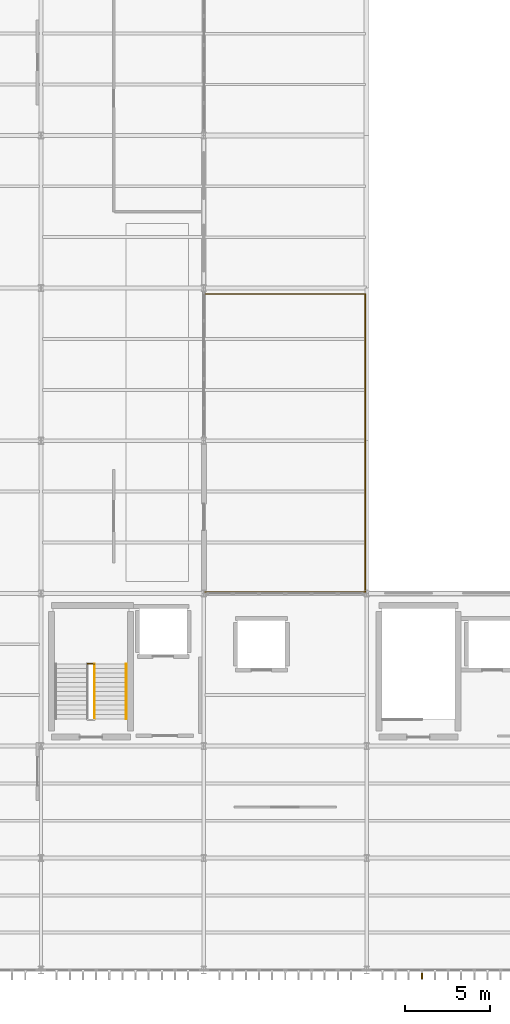
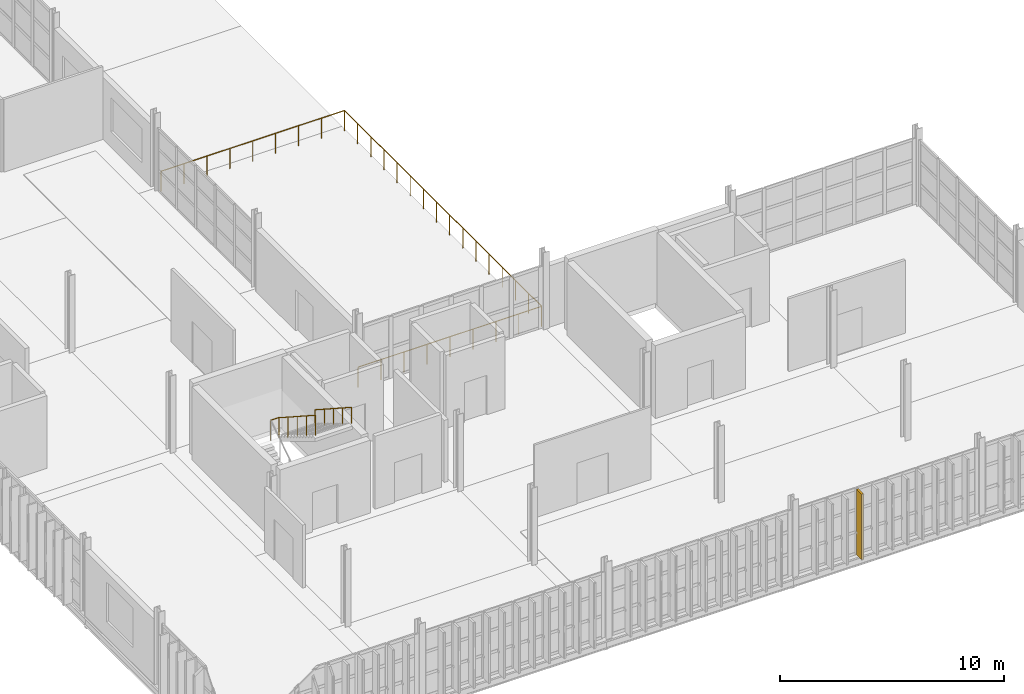
# One storey, part 32 of 38: 4 railings, 1 shading device.
"""IFC4 building model written with IfcOpenShell, lengths in metres."""

from ifc_helpers import new_model, si_unit, direction, frame, origin, origin_2d, place, context, subcontext, project, spatial, rectangle, circle, extrude, material, type_object, element, save


model = new_model("IFC4")

# Units and contexts
model_context = context("Model", 3, precision=1e-05, world=origin(), true_north=direction((0.0, 1.0)))
body_context = subcontext(model_context, "Body", "Model", "MODEL_VIEW")
ifc_project = project(units=[si_unit("LENGTHUNIT", "METRE"), si_unit("AREAUNIT", "SQUARE_METRE"), si_unit("VOLUMEUNIT", "CUBIC_METRE"), si_unit("PLANEANGLEUNIT", "RADIAN"), si_unit("MASSUNIT", "GRAM", prefix="KILO")], contexts=[model_context])

# Site, building, storey
site_placement = place(None, origin())
site = spatial("IfcSite", under=ifc_project, at=site_placement, CompositionType="ELEMENT")
building_placement = place(site_placement, origin())
building = spatial("IfcBuilding", under=site, at=building_placement, Name="Zarnetskaya Central Station", CompositionType="ELEMENT")
storey_placement = place(building_placement, frame((0.0, 0.0, 18.60009765625)))
storey = spatial("IfcBuildingStorey", under=building, at=storey_placement, Name="L04", CompositionType="ELEMENT", Elevation=18.60009765625)

# Railings
ifc_material_1 = material(Name="Steel S355", Category="steel")
railing_type_1 = type_object("IfcRailingType", Name="RAIL-BAL-1100", PredefinedType="BALUSTRADE", material=ifc_material_1)
railing_1_placement = place(storey_placement, frame((19.280029296875, 22.280029296875, 0.0)))
element("IfcRailing", 1, at=railing_1_placement, inside=storey, type_object=railing_type_1, Name="Protective deck balustrade GRD-04", PredefinedType="BALUSTRADE", context=body_context, shape_type="SweptSolid", body=[
    extrude(circle(Radius=0.02392578125, at=origin_2d()), frame((0.0, 0.0, 1.09619140625), z_axis=(1.0, 0.0, 0.0), x_axis=(0.0, 1.0, 0.0)), (0.0, 0.0, 1.0), 9.43994140625),
    extrude(circle(Radius=0.02392578125, at=origin_2d()), frame((9.43994140625, 0.0, 1.09619140625), z_axis=(0.0, 1.0, 0.0), x_axis=(-1.0, 0.0, 0.0)), (0.0, 0.0, 1.0), 17.570068359375),
    extrude(circle(Radius=0.02392578125, at=origin_2d()), frame((9.43994140625, 17.570068359375, 1.09619140625), z_axis=(-1.0, 0.0, 0.0), x_axis=(0.0, -1.0, 0.0)), (0.0, 0.0, 1.0), 9.43994140625),
    extrude(circle(Radius=0.02099609375, at=origin_2d()), origin(), (0.0, 0.0, 1.0), 1.072021484375),
    extrude(circle(Radius=0.02099609375, at=origin_2d()), frame((1.179931640625, 0.0, 0.0)), (0.0, 0.0, 1.0), 1.072021484375),
    extrude(circle(Radius=0.02099609375, at=origin_2d()), frame((2.35986328125, 0.0, 0.0)), (0.0, 0.0, 1.0), 1.072021484375),
    extrude(circle(Radius=0.02099609375, at=origin_2d()), frame((3.5400390625, 0.0, 0.0)), (0.0, 0.0, 1.0), 1.072021484375),
    extrude(circle(Radius=0.02099609375, at=origin_2d()), frame((4.719970703125, 0.0, 0.0)), (0.0, 0.0, 1.0), 1.072021484375),
    extrude(circle(Radius=0.02099609375, at=origin_2d()), frame((5.89990234375, 0.0, 0.0)), (0.0, 0.0, 1.0), 1.072021484375),
    extrude(circle(Radius=0.02099609375, at=origin_2d()), frame((7.080078125, 0.0, 0.0)), (0.0, 0.0, 1.0), 1.072021484375),
    extrude(circle(Radius=0.02099609375, at=origin_2d()), frame((8.260009765625, 0.0, 0.0)), (0.0, 0.0, 1.0), 1.072021484375),
    extrude(circle(Radius=0.02099609375, at=origin_2d()), frame((9.43994140625, 0.0, 0.0)), (0.0, 0.0, 1.0), 1.072021484375),
    extrude(circle(Radius=0.02099609375, at=origin_2d()), frame((9.43994140625, 1.17138671875, 0.0)), (0.0, 0.0, 1.0), 1.072021484375),
    extrude(circle(Radius=0.02099609375, at=origin_2d()), frame((9.43994140625, 2.3427734375, 0.0)), (0.0, 0.0, 1.0), 1.072021484375),
    extrude(circle(Radius=0.02099609375, at=origin_2d()), frame((9.43994140625, 3.513916015625, 0.0)), (0.0, 0.0, 1.0), 1.072021484375),
    extrude(circle(Radius=0.02099609375, at=origin_2d()), frame((9.43994140625, 4.685302734375, 0.0)), (0.0, 0.0, 1.0), 1.072021484375),
    extrude(circle(Radius=0.02099609375, at=origin_2d()), frame((9.43994140625, 5.856689453125, 0.0)), (0.0, 0.0, 1.0), 1.072021484375),
    extrude(circle(Radius=0.02099609375, at=origin_2d()), frame((9.43994140625, 7.028076171875, 0.0)), (0.0, 0.0, 1.0), 1.072021484375),
    extrude(circle(Radius=0.02099609375, at=origin_2d()), frame((9.43994140625, 8.199462890625, 0.0)), (0.0, 0.0, 1.0), 1.072021484375),
    extrude(circle(Radius=0.02099609375, at=origin_2d()), frame((9.43994140625, 9.37060546875, 0.0)), (0.0, 0.0, 1.0), 1.072021484375),
    extrude(circle(Radius=0.02099609375, at=origin_2d()), frame((9.43994140625, 10.5419921875, 0.0)), (0.0, 0.0, 1.0), 1.072021484375),
    extrude(circle(Radius=0.02099609375, at=origin_2d()), frame((9.43994140625, 11.71337890625, 0.0)), (0.0, 0.0, 1.0), 1.072021484375),
    extrude(circle(Radius=0.02099609375, at=origin_2d()), frame((9.43994140625, 12.884765625, 0.0)), (0.0, 0.0, 1.0), 1.072021484375),
    extrude(circle(Radius=0.02099609375, at=origin_2d()), frame((9.43994140625, 14.05615234375, 0.0)), (0.0, 0.0, 1.0), 1.072021484375),
    extrude(circle(Radius=0.02099609375, at=origin_2d()), frame((9.43994140625, 15.227294921875, 0.0)), (0.0, 0.0, 1.0), 1.072021484375),
    extrude(circle(Radius=0.02099609375, at=origin_2d()), frame((9.43994140625, 16.398681640625, 0.0)), (0.0, 0.0, 1.0), 1.072021484375),
    extrude(circle(Radius=0.02099609375, at=origin_2d()), frame((9.43994140625, 17.570068359375, 0.0)), (0.0, 0.0, 1.0), 1.072021484375),
    extrude(circle(Radius=0.02099609375, at=origin_2d()), frame((8.260009765625, 17.570068359375, 0.0)), (0.0, 0.0, 1.0), 1.072021484375),
    extrude(circle(Radius=0.02099609375, at=origin_2d()), frame((7.080078125, 17.570068359375, 0.0)), (0.0, 0.0, 1.0), 1.072021484375),
    extrude(circle(Radius=0.02099609375, at=origin_2d()), frame((5.89990234375, 17.570068359375, 0.0)), (0.0, 0.0, 1.0), 1.072021484375),
    extrude(circle(Radius=0.02099609375, at=origin_2d()), frame((4.719970703125, 17.570068359375, 0.0)), (0.0, 0.0, 1.0), 1.072021484375),
    extrude(circle(Radius=0.02099609375, at=origin_2d()), frame((3.5400390625, 17.570068359375, 0.0)), (0.0, 0.0, 1.0), 1.072021484375),
    extrude(circle(Radius=0.02099609375, at=origin_2d()), frame((2.35986328125, 17.570068359375, 0.0)), (0.0, 0.0, 1.0), 1.072021484375),
    extrude(circle(Radius=0.02099609375, at=origin_2d()), frame((1.179931640625, 17.570068359375, 0.0)), (0.0, 0.0, 1.0), 1.072021484375),
    extrude(circle(Radius=0.02099609375, at=origin_2d()), frame((0.0, 17.570068359375, 0.0)), (0.0, 0.0, 1.0), 1.072021484375),
])
railing_type_2 = type_object("IfcRailingType", Name="RAIL-HAND-900", PredefinedType="HANDRAIL", material=ifc_material_1)
railing_2_placement = place(storey_placement, frame((14.6201171875, 18.0400390625, 2.099853515625)))
element("IfcRailing", 2, at=railing_2_placement, inside=storey, type_object=railing_type_2, Name="Stair ST-C1 L04 flight 2 handrail", PredefinedType="HANDRAIL", context=body_context, shape_type="SweptSolid", body=[
    extrude(circle(Radius=0.02392578125, at=origin_2d()), frame((0.0, 0.0, 0.8759765625), z_axis=(0.0, -0.839140694364, 0.543914418877), x_axis=(1.0, 0.0, 0.0)), (0.0, 0.0, 1.0), 3.861083984375),
    extrude(circle(Radius=0.02099609375, at=origin_2d()), origin(), (0.0, 0.0, 1.0), 0.851806640625),
    extrude(circle(Radius=0.02099609375, at=origin_2d()), frame((0.0, -0.81005859375, 0.52490234375)), (0.0, 0.0, 1.0), 0.851806640625),
    extrude(circle(Radius=0.02099609375, at=origin_2d()), frame((0.0, -1.6201171875, 1.050048828125)), (0.0, 0.0, 1.0), 0.851806640625),
    extrude(circle(Radius=0.02099609375, at=origin_2d()), frame((0.0, -2.429931640625, 1.5751953125)), (0.0, 0.0, 1.0), 0.851806640625),
    extrude(circle(Radius=0.02099609375, at=origin_2d()), frame((0.0, -3.239990234375, 2.10009765625)), (0.0, 0.0, 1.0), 0.851806640625),
])
railing_type_3 = type_object("IfcRailingType", Name="RAIL-STAIR-GRD", PredefinedType="BALUSTRADE", material=ifc_material_1)
railing_3_placement = place(storey_placement, frame((12.340087890625, 18.06005859375, 2.099853515625)))
element("IfcRailing", 3, at=railing_3_placement, inside=storey, type_object=railing_type_3, Name="Stair ST-C1 L04 half-landing well guard", PredefinedType="BALUSTRADE", context=body_context, shape_type="SweptSolid", body=[
    extrude(circle(Radius=0.02392578125, at=origin_2d()), frame((0.0, 0.0, 1.09619140625), z_axis=(1.0, 0.0, 0.0), x_axis=(0.0, 1.0, 0.0)), (0.0, 0.0, 1.0), 0.419921875),
    extrude(circle(Radius=0.02099609375, at=origin_2d()), origin(), (0.0, 0.0, 1.0), 1.072021484375),
    extrude(circle(Radius=0.02099609375, at=origin_2d()), frame((0.419921875, 0.0, 0.0)), (0.0, 0.0, 1.0), 1.072021484375),
])
railing_4_placement = place(storey_placement, frame((12.760009765625, 18.0400390625, 2.099853515625)))
element("IfcRailing", 4, at=railing_4_placement, inside=storey, type_object=railing_type_3, Name="Stair ST-C1 L04 flight 2 well guard", PredefinedType="BALUSTRADE", context=body_context, shape_type="SweptSolid", body=[
    extrude(circle(Radius=0.02392578125, at=origin_2d()), frame((0.0, 0.0, 1.09619140625), z_axis=(0.0, -0.839140694364, 0.543914418877), x_axis=(1.0, 0.0, 0.0)), (0.0, 0.0, 1.0), 3.861083984375),
    extrude(circle(Radius=0.02099609375, at=origin_2d()), origin(), (0.0, 0.0, 1.0), 1.072021484375),
    extrude(circle(Radius=0.02099609375, at=origin_2d()), frame((0.0, -0.81005859375, 0.52490234375)), (0.0, 0.0, 1.0), 1.072021484375),
    extrude(circle(Radius=0.02099609375, at=origin_2d()), frame((0.0, -1.6201171875, 1.050048828125)), (0.0, 0.0, 1.0), 1.072021484375),
    extrude(circle(Radius=0.02099609375, at=origin_2d()), frame((0.0, -2.429931640625, 1.5751953125)), (0.0, 0.0, 1.0), 1.072021484375),
    extrude(circle(Radius=0.02099609375, at=origin_2d()), frame((0.0, -3.239990234375, 2.10009765625)), (0.0, 0.0, 1.0), 1.072021484375),
])

# Shading device
ifc_material_2 = material(Name="Larch glulam GL28h", Category="wood")
shading_device_type = type_object("IfcShadingDeviceType", Name="SHD-LARCH-FIN-A", PredefinedType="USERDEFINED", material=ifc_material_2)
shading_device_placement = place(storey_placement, frame((32.050048828125, -0.320068359375, -0.000244140625), z_axis=(0.0, 0.0, 1.0), x_axis=(-1.0, 0.0, 0.0)))
element("IfcShadingDevice", 5, at=shading_device_placement, inside=storey, type_object=shading_device_type, Name="Vertical larch timber fin CW-L04-059-08", ObjectType="TIMBER FIN", PredefinedType="USERDEFINED", context=body_context, shape_type="SweptSolid", body=[
    extrude(rectangle(XDim=0.090087890625, YDim=0.4599609375, at=origin_2d()), origin(), (0.0, 0.0, 1.0), 3.56005859375),
])

save(model, "model.ifc")
